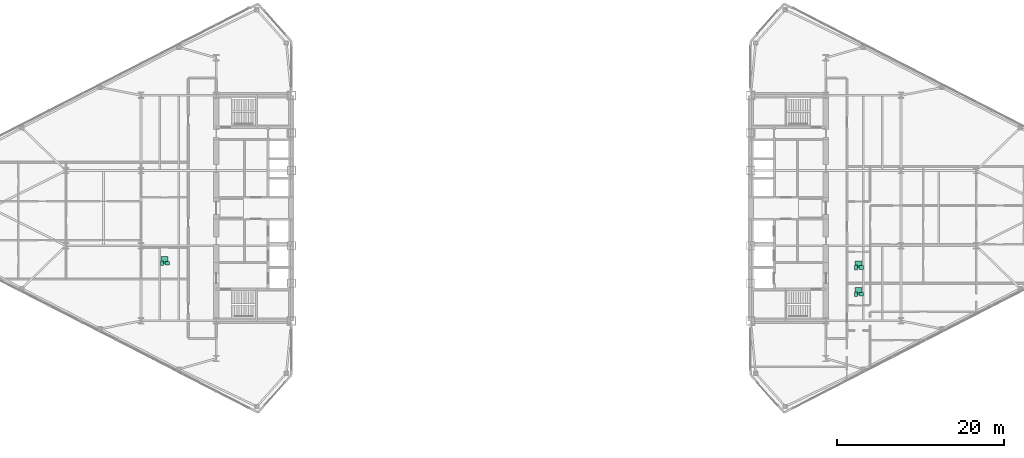
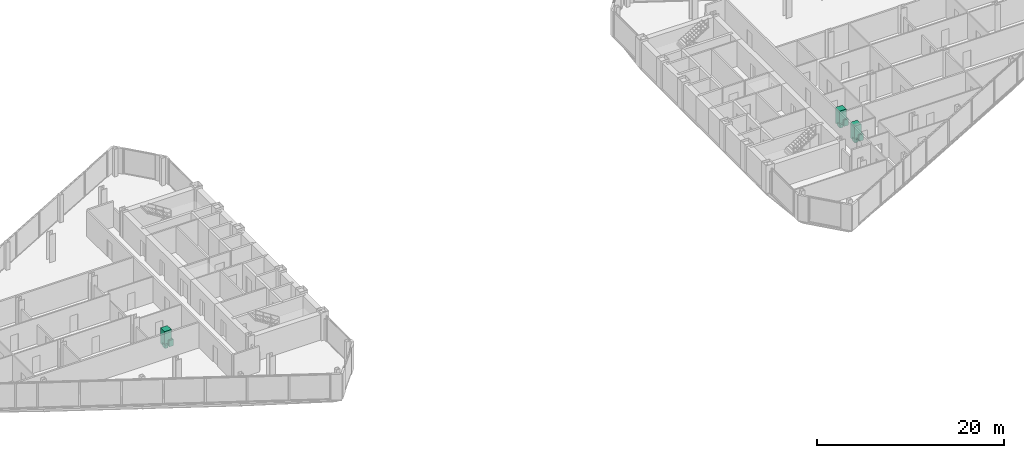
# One storey, part 23 of 23: 9 sanitary terminals.
"""IFC4 building model written with IfcOpenShell, lengths in metres."""

from ifc_helpers import new_model, si_unit, direction, frame, origin, origin_2d, place, context, subcontext, project, spatial, rectangle, extrude, source, transform, mapped, material, type_object, type_shapes, element, save


model = new_model("IFC4")

# Units and contexts
model_context = context("Model", 3, precision=1e-05, world=origin(), true_north=direction((0.0, 1.0)))
body_context = subcontext(model_context, "Body", "Model", "MODEL_VIEW")
ifc_project = project(units=[si_unit("LENGTHUNIT", "METRE"), si_unit("AREAUNIT", "SQUARE_METRE"), si_unit("VOLUMEUNIT", "CUBIC_METRE"), si_unit("PLANEANGLEUNIT", "RADIAN"), si_unit("MASSUNIT", "GRAM", prefix="KILO")], contexts=[model_context])

# Site, building, storey
site_placement = place(None, origin())
site = spatial("IfcSite", under=ifc_project, at=site_placement, CompositionType="ELEMENT")
building_placement = place(site_placement, origin())
building = spatial("IfcBuilding", under=site, at=building_placement, Name="Seokmaru Belvedere", CompositionType="ELEMENT")
storey_placement = place(building_placement, frame((0.0, 0.0, 132.0)))
storey = spatial("IfcBuildingStorey", under=building, at=storey_placement, Name="L35", CompositionType="ELEMENT", Elevation=132.0)

# Sanitary terminals
ifc_material_1 = material(Name="Vitreous China Sanitaryware")
sanitary_terminal_type_1 = type_object("IfcSanitaryTerminalType", Name="Wall-Hung Vitreous China WC Pan", PredefinedType="TOILETPAN", material=ifc_material_1)
shared_shape_1 = source(origin(), body_context, "Body", "SweptSolid", [
    extrude(rectangle(XDim=0.3798828125, YDim=0.56005859375, at=origin_2d()), origin(), (0.0, 0.0, 1.0), 0.419921875),
])
type_shapes(sanitary_terminal_type_1, [shared_shape_1])
for number, where, z_axis, x_axis, name in (
    (1, (-42.97509765625, -6.611083984375, 0.0), (0.0, 0.0, 1.0), (1.0, 0.0, 0.0), "L35 Vitreous China WC 0195"),
    (2, (40.125, -10.322021484375, 0.0), (0.0, 0.0, 1.0), (1.0, 0.0, 0.0), "L35 Vitreous China WC 0196"),
    (3, (40.125, -7.111083984375, 0.0), (0.0, 0.0, 1.0), (1.0, 0.0, 0.0), "L35 Vitreous China WC 0197"),
):
    element("IfcSanitaryTerminal", number, at=place(storey_placement, frame(where, z_axis=z_axis, x_axis=x_axis)), inside=storey, type_object=sanitary_terminal_type_1, Name=name, PredefinedType="TOILETPAN", context=body_context, shape_type="MappedRepresentation", body=[
        mapped(shared_shape_1, transform((0.0, 0.0, 0.0), scale=1.0)),
    ])
sanitary_terminal_type_2 = type_object("IfcSanitaryTerminalType", Name="Countertop Ceramic Washhand Basin", PredefinedType="WASHHANDBASIN", material=ifc_material_1)
shared_shape_2 = source(origin(), body_context, "Body", "SweptSolid", [
    extrude(rectangle(XDim=0.550048828125, YDim=0.449951171875, at=origin_2d()), origin(), (0.0, 0.0, 1.0), 0.820068359375),
])
type_shapes(sanitary_terminal_type_2, [shared_shape_2])
for number, where, z_axis, x_axis, name in (
    (4, (-42.375, -6.611083984375, 0.0), (0.0, 0.0, 1.0), (1.0, 0.0, 0.0), "L35 Ceramic Washhand Basin 0195"),
    (5, (40.72509765625, -10.322021484375, 0.0), (0.0, 0.0, 1.0), (1.0, 0.0, 0.0), "L35 Ceramic Washhand Basin 0196"),
    (6, (40.72509765625, -7.111083984375, 0.0), (0.0, 0.0, 1.0), (1.0, 0.0, 0.0), "L35 Ceramic Washhand Basin 0197"),
):
    element("IfcSanitaryTerminal", number, at=place(storey_placement, frame(where, z_axis=z_axis, x_axis=x_axis)), inside=storey, type_object=sanitary_terminal_type_2, Name=name, PredefinedType="WASHHANDBASIN", context=body_context, shape_type="MappedRepresentation", body=[
        mapped(shared_shape_2, transform((0.0, 0.0, 0.0), scale=1.0)),
    ])
ifc_material_2 = material(Name="Stainless Steel 316", Category="steel")
sanitary_terminal_type_3 = type_object("IfcSanitaryTerminalType", Name="Walk-In Thermostatic Rain Shower Enclosure", PredefinedType="SHOWER", material=ifc_material_2)
shared_shape_3 = source(origin(), body_context, "Body", "SweptSolid", [
    extrude(rectangle(XDim=0.85009765625, YDim=0.85009765625, at=origin_2d()), origin(), (0.0, 0.0, 1.0), 2.050048828125),
])
type_shapes(sanitary_terminal_type_3, [shared_shape_3])
for number, where, z_axis, x_axis, name in (
    (7, (-42.675048828125, -6.23095703125, 0.0), (0.0, 0.0, 1.0), (1.0, 0.0, 0.0), "L35 Walk-In Shower 0195"),
    (8, (40.425048828125, -9.94189453125, 0.0), (0.0, 0.0, 1.0), (1.0, 0.0, 0.0), "L35 Walk-In Shower 0196"),
    (9, (40.425048828125, -6.73095703125, 0.0), (0.0, 0.0, 1.0), (1.0, 0.0, 0.0), "L35 Walk-In Shower 0197"),
):
    element("IfcSanitaryTerminal", number, at=place(storey_placement, frame(where, z_axis=z_axis, x_axis=x_axis)), inside=storey, type_object=sanitary_terminal_type_3, Name=name, PredefinedType="SHOWER", context=body_context, shape_type="MappedRepresentation", body=[
        mapped(shared_shape_3, transform((0.0, 0.0, 0.0), scale=1.0)),
    ])

save(model, "model.ifc")
